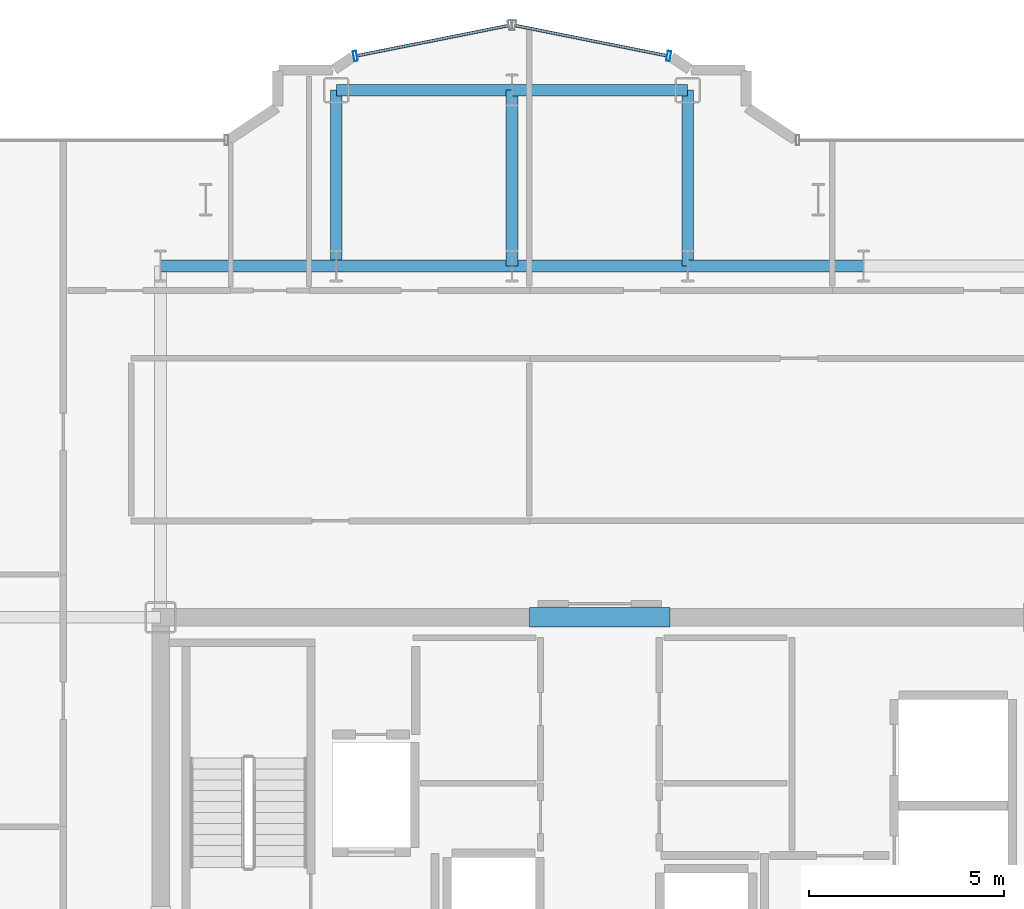
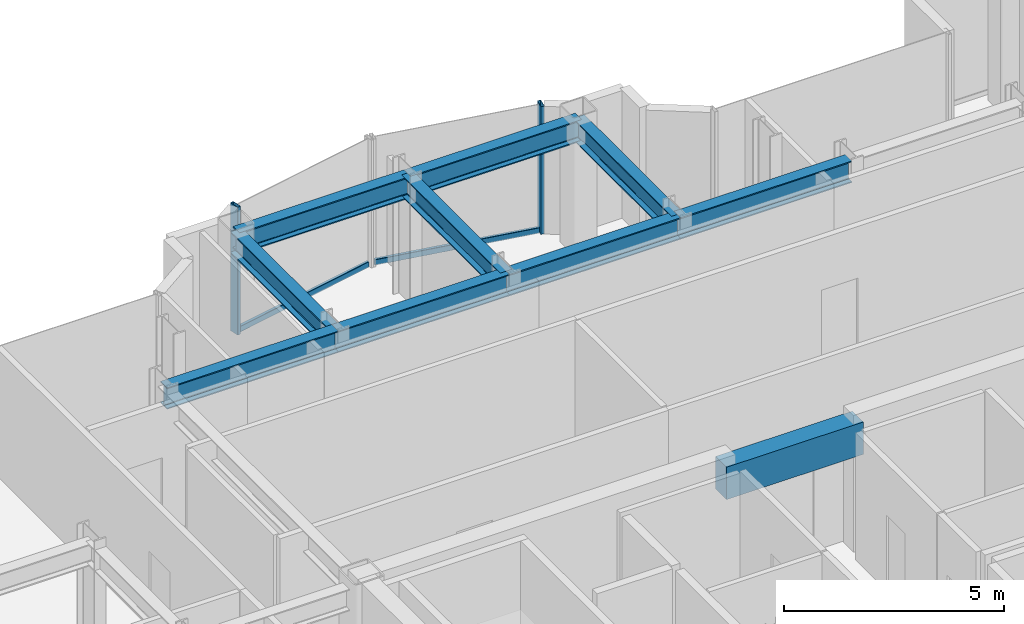
# One storey, part 9 of 20: 10 beams, 4 members, 2 elements without a shape of their own.
"""IFC4 building model written with IfcOpenShell, lengths in metres."""

from ifc_helpers import new_model, si_unit, direction, frame, origin, origin_2d, place, context, subcontext, project, spatial, rectangle, hollow_rectangle, i_section, extrude, source, transform, mapped, material, layer, layer_set, material_profile, profile_set, type_object, element, aggregate, save


model = new_model("IFC4")

# Units and contexts
model_context = context("Model", 3, precision=1e-05, world=origin(), true_north=direction((0.0, 1.0)))
body_context = subcontext(model_context, "Body", "Model", "MODEL_VIEW")
ifc_project = project(units=[si_unit("LENGTHUNIT", "METRE"), si_unit("AREAUNIT", "SQUARE_METRE"), si_unit("VOLUMEUNIT", "CUBIC_METRE"), si_unit("PLANEANGLEUNIT", "RADIAN"), si_unit("MASSUNIT", "GRAM", prefix="KILO")], contexts=[model_context])

# Site, building, storey
site_placement = place(None, origin())
site = spatial("IfcSite", under=ifc_project, at=site_placement, CompositionType="ELEMENT")
building_placement = place(site_placement, origin())
building = spatial("IfcBuilding", under=site, at=building_placement, Name="Nefas-Gora Pilgrimage Tower", CompositionType="ELEMENT")
storey_placement = place(building_placement, frame((0.0, 0.0, 221.800048828125)))
storey = spatial("IfcBuildingStorey", under=building, at=storey_placement, Name="L55", CompositionType="ELEMENT", Elevation=221.800048828125)

# Beams
ifc_material_1 = material(Name="Concrete C50/60", Category="concrete")
ifc_material_profile_1 = material_profile(ifc_material_1, rectangle(XDim=0.5, YDim=0.89990234375, at=origin_2d()), Name="RC 500x900")
ifc_profile_set_1 = profile_set([ifc_material_profile_1], Name="Concrete C50/60")
beam_type_1 = type_object("IfcBeamType", Name="BM-LIN-RC900", PredefinedType="LINTEL", material=ifc_profile_set_1)
shared_shape_1 = source(origin(), body_context, "Body", "SweptSolid", [
    extrude(rectangle(XDim=0.5, YDim=0.89990234375, at=origin_2d()), origin(), (0.0, 0.0, 1.0), 3.60009765625),
])
beam_placement = place(storey_placement, frame((-1.800048828125, 9.0, 3.099853515625), z_axis=(1.0, 0.0, 0.0), x_axis=(0.0, 1.0, 0.0)))
element("IfcBeam", 1, at=beam_placement, inside=storey, type_object=beam_type_1, Name="L55 Core Coupling Lintel Beam N", PredefinedType="LINTEL", context=body_context, shape_type="MappedRepresentation", body=[
    mapped(shared_shape_1, transform((0.0, 0.0, 0.0), x_axis=(1.0, 0.0, 0.0), y_axis=(0.0, 1.0, 0.0), z_axis=(0.0, 0.0, 1.0), scale=1.0)),
])
ifc_material_2 = material(Name="Steel S355", Category="steel")
ifc_material_profile_2 = material_profile(ifc_material_2, i_section(OverallWidth=0.300048828125, OverallDepth=0.60009765625, WebThickness=0.015380859375, FlangeThickness=0.030029296875, FilletRadius=0.027099609375, at=origin_2d()), Name="HEB 600")
ifc_profile_set_2 = profile_set([ifc_material_profile_2], Name="Steel S355")
beam_type_2 = type_object("IfcBeamType", Name="BM-GIR-HEB600", PredefinedType="BEAM", material=ifc_profile_set_2)
shared_shape_2 = source(origin(), body_context, "Body", "SweptSolid", [
    extrude(i_section(OverallWidth=0.300048828125, OverallDepth=0.60009765625, WebThickness=0.015380859375, FlangeThickness=0.030029296875, FilletRadius=0.027099609375, at=origin_2d()), origin(), (0.0, 0.0, 1.0), 4.5),
])
for number, where, z_axis, x_axis, name in (
    (2, (-11.25, 18.0, 3.25), (1.0, 0.0, 0.0), (0.0, 1.0, 0.0), "L55 G-04 beam"),
    (3, (-6.75, 18.0, 3.25), (0.0, 1.0, 0.0), (-1.0, 0.0, 0.0), "L55 G-04 beam"),
    (4, (-6.75, 18.0, 3.25), (1.0, 0.0, 0.0), (0.0, 1.0, 0.0), "L55 G-04 beam"),
    (5, (-6.75, 22.5, 3.25), (1.0, 0.0, 0.0), (0.0, 1.0, 0.0), "L55 G-04 beam"),
    (6, (-2.25, 18.0, 3.25), (0.0, 1.0, 0.0), (-1.0, 0.0, 0.0), "L55 G-04 beam"),
    (7, (-2.25, 18.0, 3.25), (1.0, 0.0, 0.0), (0.0, 1.0, 0.0), "L55 G-04 beam"),
    (8, (-2.25, 22.5, 3.25), (1.0, 0.0, 0.0), (0.0, 1.0, 0.0), "L55 G-04 beam"),
    (9, (2.25, 18.0, 3.25), (0.0, 1.0, 0.0), (-1.0, 0.0, 0.0), "L55 G-04 beam"),
    (10, (2.25, 18.0, 3.25), (1.0, 0.0, 0.0), (0.0, 1.0, 0.0), "L55 G-04 beam"),
):
    element("IfcBeam", number, at=place(storey_placement, frame(where, z_axis=z_axis, x_axis=x_axis)), inside=storey, type_object=beam_type_2, Name=name, PredefinedType="BEAM", context=body_context, shape_type="MappedRepresentation", body=[
        mapped(shared_shape_2, transform((0.0, 0.0, 0.0), x_axis=(1.0, 0.0, 0.0), y_axis=(0.0, 1.0, 0.0), z_axis=(0.0, 0.0, 1.0), scale=1.0)),
    ])

# Curtain wall, member
ifc_material_3 = material(Name="Dark ceramic-fritted solar-control aluminium-glass curtain wall", Category="aluminium")
ifc_layer = layer(ifc_material_3, 0.219970703125)
ifc_layer_set = layer_set([ifc_layer], Name="Dark ceramic-fritted solar-control aluminium-glass curtain wall")
curtain_wall_type = type_object("IfcCurtainWallType", Name="CW-SYS-5", PredefinedType="NOTDEFINED", material=ifc_layer_set)
curtain_wall_1_placement = place(storey_placement, origin())
curtain_wall_1 = element("IfcCurtainWall", 11, at=curtain_wall_1_placement, inside=storey, type_object=curtain_wall_type, Name="L55 Unitised Curtain Wall CW5", PredefinedType="NOTDEFINED")
ifc_material_4 = material(Name="Anodised architectural aluminium", Category="aluminium")
ifc_material_profile_3 = material_profile(ifc_material_4, hollow_rectangle(XDim=0.090087890625, YDim=0.260009765625, WallThickness=0.006103515625, InnerFilletRadius=0.006103515625, OuterFilletRadius=0.011962890625, at=origin_2d()), Name="ALU MULLION 90x260")
ifc_profile_set_3 = profile_set([ifc_material_profile_3], Name="Anodised architectural aluminium")
member_type_1 = type_object("IfcMemberType", Name="CWM-MUL-5", PredefinedType="MULLION", material=ifc_profile_set_3)
shared_shape_3 = source(origin(), body_context, "Body", "SweptSolid", [
    extrude(hollow_rectangle(XDim=0.090087890625, YDim=0.260009765625, WallThickness=0.006103515625, InnerFilletRadius=0.006103515625, OuterFilletRadius=0.011962890625, at=origin_2d()), origin(), (0.0, 0.0, 1.0), 3.550048828125),
])
member_1_placement = place(storey_placement, frame((1.76318359375, 23.3740234375, 0.0), z_axis=(0.0, 0.0, 1.0), x_axis=(-0.980782896852, 0.195102304554, 0.0)))
member_1 = element("IfcMember", 12, at=member_1_placement, type_object=member_type_1, Name="CW5 Mullion 1", PredefinedType="MULLION", context=body_context, shape_type="MappedRepresentation", body=[
    mapped(shared_shape_3, transform((0.0, 0.0, 0.0), x_axis=(1.0, 0.0, 0.0), y_axis=(0.0, 1.0, 0.0), z_axis=(0.0, 0.0, 1.0), scale=1.0)),
])

curtain_wall_2_placement = place(storey_placement, origin())
curtain_wall_2 = element("IfcCurtainWall", 13, at=curtain_wall_2_placement, inside=storey, type_object=curtain_wall_type, Name="L55 Unitised Curtain Wall CW5", PredefinedType="NOTDEFINED")
member_2_placement = place(storey_placement, frame((-6.26318359375, 23.3740234375, 0.0), z_axis=(0.0, 0.0, 1.0), x_axis=(-0.980782896852, -0.195102304554, 0.0)))
member_2 = element("IfcMember", 14, at=member_2_placement, type_object=member_type_1, Name="CW5 Mullion 2", PredefinedType="MULLION", context=body_context, shape_type="MappedRepresentation", body=[
    mapped(shared_shape_3, transform((0.0, 0.0, 0.0), x_axis=(1.0, 0.0, 0.0), y_axis=(0.0, 1.0, 0.0), z_axis=(0.0, 0.0, 1.0), scale=1.0)),
])

# Member
ifc_material_profile_4 = material_profile(ifc_material_4, hollow_rectangle(XDim=0.080078125, YDim=0.159912109375, WallThickness=0.00439453125, InnerFilletRadius=0.00439453125, OuterFilletRadius=0.009033203125, at=origin_2d()), Name="ALU TRANSOM 80x160")
ifc_profile_set_4 = profile_set([ifc_material_profile_4], Name="Anodised architectural aluminium")
member_type_2 = type_object("IfcMemberType", Name="CWM-TRN-5", PredefinedType="USERDEFINED", material=ifc_profile_set_4)
shared_shape_4 = source(origin(), body_context, "Body", "SweptSolid", [
    extrude(hollow_rectangle(XDim=0.080078125, YDim=0.159912109375, WallThickness=0.00439453125, InnerFilletRadius=0.00439453125, OuterFilletRadius=0.009033203125, at=origin_2d()), origin(), (0.0, 0.0, 1.0), 3.95654296875),
])
member_3_placement = place(storey_placement, frame((1.718994140625, 23.3828125, 0.050048828125), z_axis=(-0.980781880918, 0.195107411605, 0.0), x_axis=(-0.195107411605, -0.980781880918, 0.0)))
member_3 = element("IfcMember", 15, at=member_3_placement, type_object=member_type_2, Name="CW5 Spandrel Transom", ObjectType="TRANSOM", PredefinedType="USERDEFINED", context=body_context, shape_type="MappedRepresentation", body=[
    mapped(shared_shape_4, transform((0.0, 0.0, 0.0), x_axis=(1.0, 0.0, 0.0), y_axis=(0.0, 1.0, 0.0), z_axis=(0.0, 0.0, 1.0), scale=1.0)),
])

aggregate(curtain_wall_1, [member_1, member_3])

member_4_placement = place(storey_placement, frame((-2.33837890625, 24.15478515625, 0.050048828125), z_axis=(-0.980781880918, -0.195107411605, 0.0), x_axis=(0.195107411605, -0.980781880918, 0.0)))
member_4 = element("IfcMember", 16, at=member_4_placement, type_object=member_type_2, Name="CW5 Spandrel Transom", ObjectType="TRANSOM", PredefinedType="USERDEFINED", context=body_context, shape_type="MappedRepresentation", body=[
    mapped(shared_shape_4, transform((0.0, 0.0, 0.0), x_axis=(1.0, 0.0, 0.0), y_axis=(0.0, 1.0, 0.0), z_axis=(0.0, 0.0, 1.0), scale=1.0)),
])

aggregate(curtain_wall_2, [member_2, member_4])

save(model, "model.ifc")
